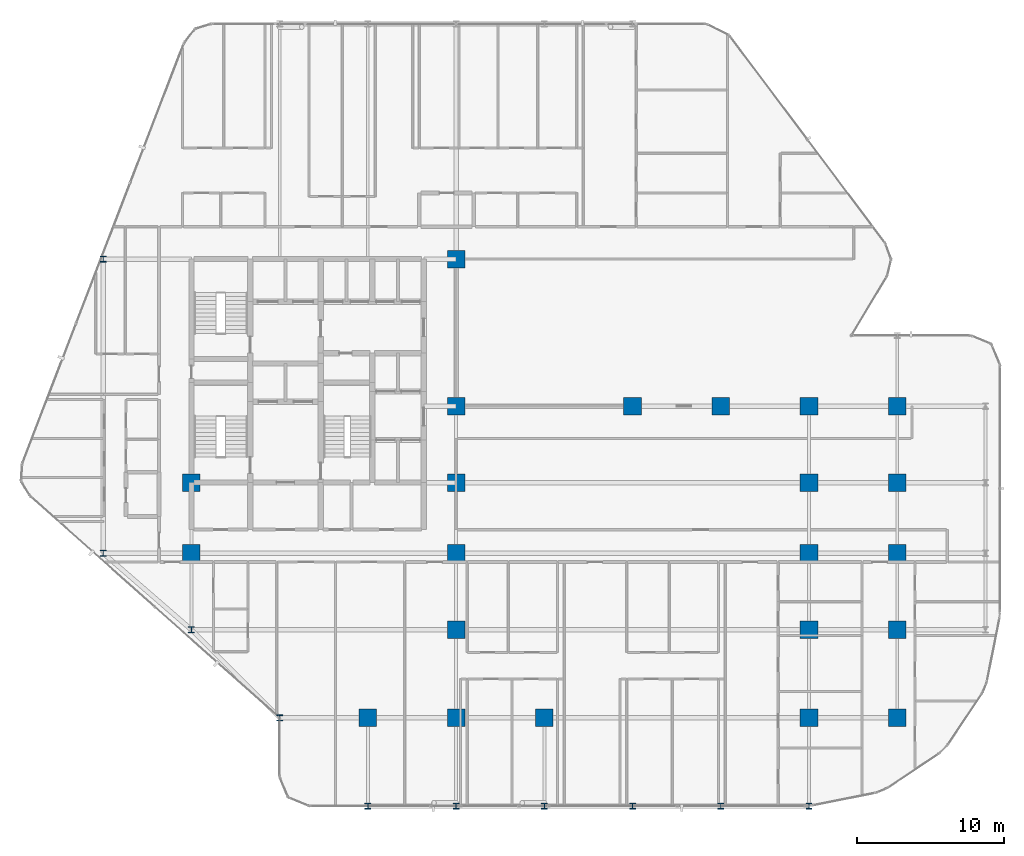
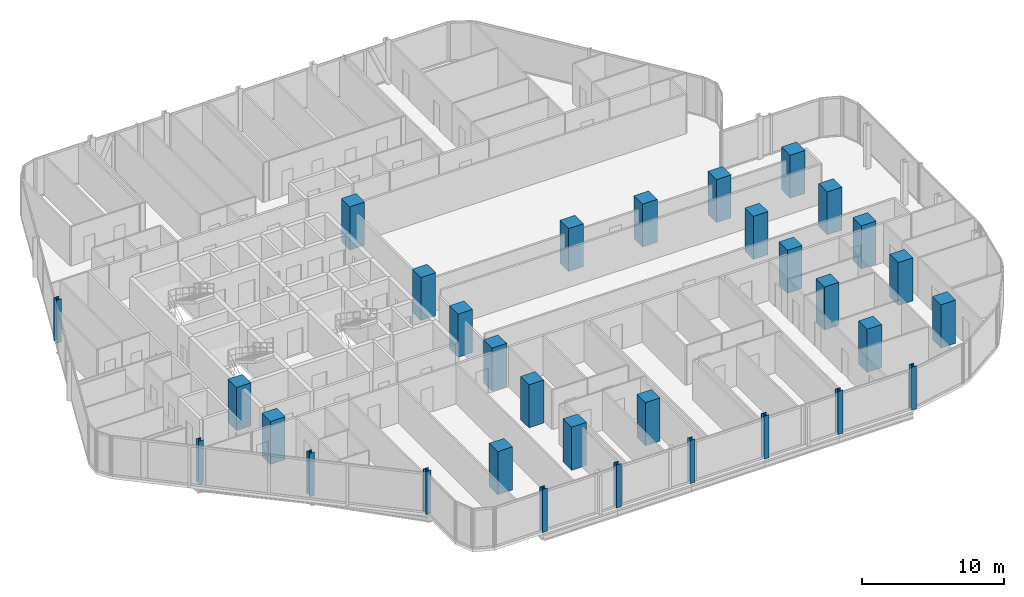
# One storey, part 1 of 34: 32 columns.
"""IFC4 building model written with IfcOpenShell, lengths in metres."""

from ifc_helpers import new_model, si_unit, direction, frame, origin, origin_2d, place, context, subcontext, project, spatial, rectangle, i_section, extrude, material, material_profile, profile_set, type_object, element, save


model = new_model("IFC4")

# Units and contexts
model_context = context("Model", 3, precision=1e-05, world=origin(), true_north=direction((0.0, 1.0)))
body_context = subcontext(model_context, "Body", "Model", "MODEL_VIEW")
ifc_project = project(units=[si_unit("LENGTHUNIT", "METRE"), si_unit("AREAUNIT", "SQUARE_METRE"), si_unit("VOLUMEUNIT", "CUBIC_METRE"), si_unit("PLANEANGLEUNIT", "RADIAN"), si_unit("MASSUNIT", "GRAM", prefix="KILO")], contexts=[model_context])

# Site, building, storey
site_placement = place(None, origin())
site = spatial("IfcSite", under=ifc_project, at=site_placement, CompositionType="ELEMENT")
building_placement = place(site_placement, origin())
building = spatial("IfcBuilding", under=site, at=building_placement, Name="Keshet Zoharim Tower", CompositionType="ELEMENT")
storey_placement = place(building_placement, frame((0.0, 0.0, 70.10009765625)))
storey = spatial("IfcBuildingStorey", under=building, at=storey_placement, Name="L16", CompositionType="ELEMENT", Elevation=70.10009765625)

# Columns
ifc_material_1 = material(Name="Steel S355", Category="steel")
ifc_material_profile_1 = material_profile(ifc_material_1, i_section(OverallWidth=0.40087890625, OverallDepth=0.39892578125, WebThickness=0.02490234375, FlangeThickness=0.03955078125, FilletRadius=0.014892578125, at=origin_2d()), Name="HD400x314")
ifc_profile_set_1 = profile_set([ifc_material_profile_1], Name="Steel S355")
column_type_1 = type_object("IfcColumnType", Name="COL-HD314", PredefinedType="COLUMN", material=ifc_profile_set_1)
for number, where, z_axis, x_axis, name in (
    (1, (9.0, 17.89990234375, 0.0), (0.0, 0.0, 1.0), (1.0, 0.0, 0.0), "L16 Column 2D"),
    (2, (9.0, 37.89990234375, 0.0), (0.0, 0.0, 1.0), (1.0, 0.0, 0.0), "L16 Column 2H"),
    (3, (15.0, 12.699951171875, 0.0), (0.0, 0.0, 1.0), (1.0, 0.0, 0.0), "L16 Column 3C"),
    (4, (21.0, 6.699951171875, 0.0), (0.0, 0.0, 1.0), (1.0, 0.0, 0.0), "L16 Column 4B"),
    (5, (27.0, 0.699951171875, 0.0), (0.0, 0.0, 1.0), (1.0, 0.0, 0.0), "L16 Column 5A"),
    (6, (33.0, 0.699951171875, 0.0), (0.0, 0.0, 1.0), (1.0, 0.0, 0.0), "L16 Column 6A"),
    (7, (39.0, 0.699951171875, 0.0), (0.0, 0.0, 1.0), (1.0, 0.0, 0.0), "L16 Column 7A"),
    (8, (45.0, 0.699951171875, 0.0), (0.0, 0.0, 1.0), (1.0, 0.0, 0.0), "L16 Column 8A"),
    (9, (51.0, 0.699951171875, 0.0), (0.0, 0.0, 1.0), (1.0, 0.0, 0.0), "L16 Column 9A"),
    (10, (57.0, 0.699951171875, 0.0), (0.0, 0.0, 1.0), (1.0, 0.0, 0.0), "L16 Column 10A"),
):
    element("IfcColumn", number, at=place(storey_placement, frame(where, z_axis=z_axis, x_axis=x_axis)), inside=storey, type_object=column_type_1, Name=name, PredefinedType="COLUMN", context=body_context, shape_type="SweptSolid", body=[
        extrude(i_section(OverallWidth=0.40087890625, OverallDepth=0.39892578125, WebThickness=0.02490234375, FlangeThickness=0.03955078125, FilletRadius=0.014892578125, at=origin_2d()), origin(), (0.0, 0.0, 1.0), 3.699951171875),
    ])
ifc_material_2 = material(Name="Concrete C60/75", Category="concrete")
ifc_material_profile_2 = material_profile(ifc_material_2, rectangle(XDim=1.199951171875, YDim=1.199951171875, at=origin_2d()), Name="RC1200x1200")
ifc_profile_set_2 = profile_set([ifc_material_profile_2], Name="Concrete C60/75")
column_type_2 = type_object("IfcColumnType", Name="COL-RC1200", PredefinedType="COLUMN", material=ifc_profile_set_2)
for number, where, z_axis, x_axis, name in (
    (11, (15.0, 17.89990234375, 0.0), (0.0, 0.0, 1.0), (1.0, 0.0, 0.0), "L16 Column 3D"),
    (12, (15.0, 22.699951171875, 0.0), (0.0, 0.0, 1.0), (1.0, 0.0, 0.0), "L16 Column 3E"),
    (13, (27.0, 6.699951171875, 0.0), (0.0, 0.0, 1.0), (1.0, 0.0, 0.0), "L16 Column 5B"),
    (14, (33.0, 6.699951171875, 0.0), (0.0, 0.0, 1.0), (1.0, 0.0, 0.0), "L16 Column 6B"),
    (15, (33.0, 12.699951171875, 0.0), (0.0, 0.0, 1.0), (1.0, 0.0, 0.0), "L16 Column 6C"),
    (16, (33.0, 17.89990234375, 0.0), (0.0, 0.0, 1.0), (1.0, 0.0, 0.0), "L16 Column 6D"),
    (17, (33.0, 22.699951171875, 0.0), (0.0, 0.0, 1.0), (1.0, 0.0, 0.0), "L16 Column 6E"),
    (18, (33.0, 27.89990234375, 0.0), (0.0, 0.0, 1.0), (1.0, 0.0, 0.0), "L16 Column 6F"),
    (19, (33.0, 37.89990234375, 0.0), (0.0, 0.0, 1.0), (1.0, 0.0, 0.0), "L16 Column 6H"),
    (20, (39.0, 6.699951171875, 0.0), (0.0, 0.0, 1.0), (1.0, 0.0, 0.0), "L16 Column 7B"),
    (21, (45.0, 27.89990234375, 0.0), (0.0, 0.0, 1.0), (1.0, 0.0, 0.0), "L16 Column 8F"),
    (22, (51.0, 27.89990234375, 0.0), (0.0, 0.0, 1.0), (1.0, 0.0, 0.0), "L16 Column 9F"),
    (23, (57.0, 6.699951171875, 0.0), (0.0, 0.0, 1.0), (1.0, 0.0, 0.0), "L16 Column 10B"),
    (24, (57.0, 12.699951171875, 0.0), (0.0, 0.0, 1.0), (1.0, 0.0, 0.0), "L16 Column 10C"),
    (25, (57.0, 17.89990234375, 0.0), (0.0, 0.0, 1.0), (1.0, 0.0, 0.0), "L16 Column 10D"),
    (26, (57.0, 22.699951171875, 0.0), (0.0, 0.0, 1.0), (1.0, 0.0, 0.0), "L16 Column 10E"),
    (27, (57.0, 27.89990234375, 0.0), (0.0, 0.0, 1.0), (1.0, 0.0, 0.0), "L16 Column 10F"),
    (28, (63.0, 6.699951171875, 0.0), (0.0, 0.0, 1.0), (1.0, 0.0, 0.0), "L16 Column 11B"),
    (29, (63.0, 12.699951171875, 0.0), (0.0, 0.0, 1.0), (1.0, 0.0, 0.0), "L16 Column 11C"),
    (30, (63.0, 17.89990234375, 0.0), (0.0, 0.0, 1.0), (1.0, 0.0, 0.0), "L16 Column 11D"),
    (31, (63.0, 22.699951171875, 0.0), (0.0, 0.0, 1.0), (1.0, 0.0, 0.0), "L16 Column 11E"),
    (32, (63.0, 27.89990234375, 0.0), (0.0, 0.0, 1.0), (1.0, 0.0, 0.0), "L16 Column 11F"),
):
    element("IfcColumn", number, at=place(storey_placement, frame(where, z_axis=z_axis, x_axis=x_axis)), inside=storey, type_object=column_type_2, Name=name, PredefinedType="COLUMN", context=body_context, shape_type="SweptSolid", body=[
        extrude(rectangle(XDim=1.199951171875, YDim=1.199951171875, at=origin_2d()), origin(), (0.0, 0.0, 1.0), 3.699951171875),
    ])

save(model, "model.ifc")
